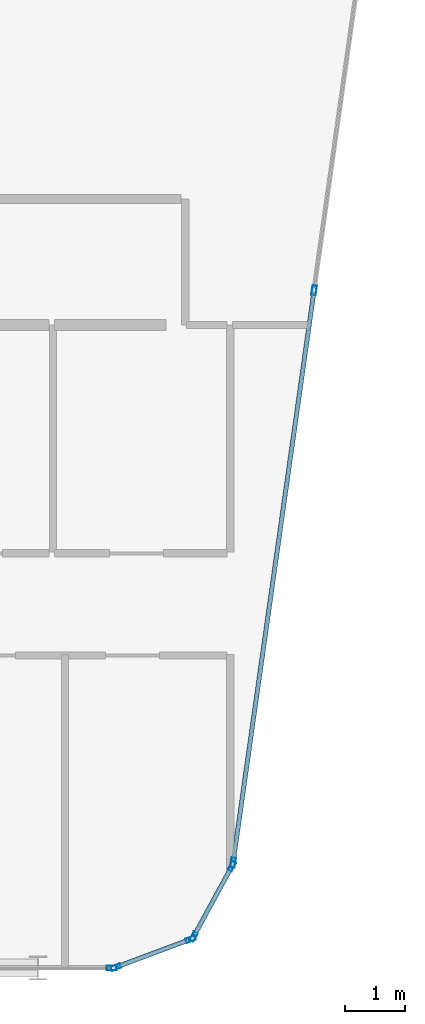
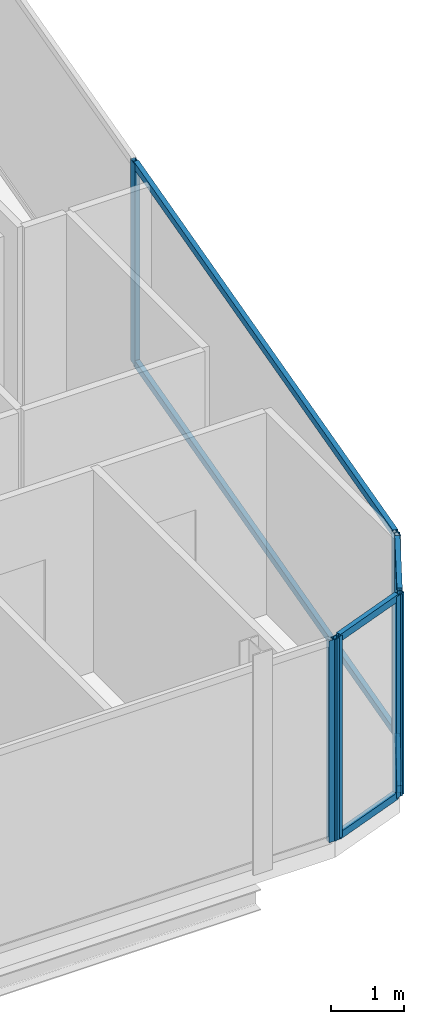
# One storey, part 12 of 27: 13 members, 4 elements without a shape of their own.
"""IFC4 building model written with IfcOpenShell, lengths in metres."""

from ifc_helpers import new_model, si_unit, direction, frame, origin, origin_2d, place, context, subcontext, project, spatial, hollow_rectangle, extrude, material, layer, layer_set, material_profile, profile_set, type_object, element, aggregate, save


model = new_model("IFC4")

# Units and contexts
model_context = context("Model", 3, precision=1e-05, world=origin(), true_north=direction((0.0, 1.0)))
body_context = subcontext(model_context, "Body", "Model", "MODEL_VIEW")
ifc_project = project(units=[si_unit("LENGTHUNIT", "METRE"), si_unit("AREAUNIT", "SQUARE_METRE"), si_unit("VOLUMEUNIT", "CUBIC_METRE"), si_unit("PLANEANGLEUNIT", "RADIAN"), si_unit("MASSUNIT", "GRAM", prefix="KILO")], contexts=[model_context])

# Site, building, storey
site_placement = place(None, origin())
site = spatial("IfcSite", under=ifc_project, at=site_placement, CompositionType="ELEMENT")
building_placement = place(site_placement, origin())
building = spatial("IfcBuilding", under=site, at=building_placement, Name="Keshet Zoharim Tower", CompositionType="ELEMENT")
storey_placement = place(building_placement, frame((0.0, 0.0, 254.699951171875)))
storey = spatial("IfcBuildingStorey", under=building, at=storey_placement, Name="L63", CompositionType="ELEMENT", Elevation=254.699951171875)

# Curtain wall, members
ifc_material = material(Name="Aluminium 6063-T6", Category="aluminium")
ifc_layer = layer(ifc_material, 0.260009765625)
ifc_layer_set = layer_set([ifc_layer], Name="Aluminium 6063-T6")
curtain_wall_type = type_object("IfcCurtainWallType", Name="CW-SYS-06", PredefinedType="NOTDEFINED", material=ifc_layer_set)
curtain_wall_1_placement = place(storey_placement, origin())
curtain_wall_1 = element("IfcCurtainWall", 1, at=curtain_wall_1_placement, inside=storey, type_object=curtain_wall_type, Name="L63 Unitised Curtain Wall 11", PredefinedType="NOTDEFINED")
ifc_material_profile_1 = material_profile(ifc_material, hollow_rectangle(XDim=0.074951171875, YDim=0.159912109375, WallThickness=0.00390625, at=origin_2d()), Name="MUL-75x160")
ifc_profile_set_1 = profile_set([ifc_material_profile_1], Name="Aluminium 6063-T6")
member_type_1 = type_object("IfcMemberType", Name="CWM-M15", PredefinedType="MULLION", material=ifc_profile_set_1)
member_1_placement = place(storey_placement, frame((43.595458984375, 17.97607421875, 0.0), z_axis=(0.0, 0.0, 1.0), x_axis=(0.990132057422, -0.140137464177, 0.0)))
member_1 = element("IfcMember", 2, at=member_1_placement, type_object=member_type_1, Name="CW-06 mullion 2", PredefinedType="MULLION", context=body_context, shape_type="SweptSolid", body=[
    extrude(hollow_rectangle(XDim=0.074951171875, YDim=0.159912109375, WallThickness=0.00390625, at=origin_2d()), origin(), (0.0, 0.0, 1.0), 3.39013671875),
])
member_2_placement = place(storey_placement, frame((42.247802734375, 8.45458984375, 0.0), z_axis=(0.0, 0.0, 1.0), x_axis=(0.990132057422, -0.140137464177, 0.0)))
member_2 = element("IfcMember", 3, at=member_2_placement, type_object=member_type_1, Name="CW-06 mullion 3", PredefinedType="MULLION", context=body_context, shape_type="SweptSolid", body=[
    extrude(hollow_rectangle(XDim=0.074951171875, YDim=0.159912109375, WallThickness=0.00390625, at=origin_2d()), origin(), (0.0, 0.0, 1.0), 3.39013671875),
])

curtain_wall_2_placement = place(storey_placement, origin())
curtain_wall_2 = element("IfcCurtainWall", 4, at=curtain_wall_2_placement, inside=storey, type_object=curtain_wall_type, Name="L63 Unitised Curtain Wall 12", PredefinedType="NOTDEFINED")
member_3_placement = place(storey_placement, frame((42.226318359375, 8.38916015625, 0.0), z_axis=(0.0, 0.0, 1.0), x_axis=(0.878468125004, -0.477800955789, 0.0)))
member_3 = element("IfcMember", 5, at=member_3_placement, type_object=member_type_1, Name="CW-06 mullion 1", PredefinedType="MULLION", context=body_context, shape_type="SweptSolid", body=[
    extrude(hollow_rectangle(XDim=0.074951171875, YDim=0.159912109375, WallThickness=0.00390625, at=origin_2d()), origin(), (0.0, 0.0, 1.0), 3.39013671875),
])
member_4_placement = place(storey_placement, frame((41.5908203125, 7.220703125, 0.0), z_axis=(0.0, 0.0, 1.0), x_axis=(0.878468125004, -0.477800955789, 0.0)))
member_4 = element("IfcMember", 6, at=member_4_placement, type_object=member_type_1, Name="CW-06 mullion 2", PredefinedType="MULLION", context=body_context, shape_type="SweptSolid", body=[
    extrude(hollow_rectangle(XDim=0.074951171875, YDim=0.159912109375, WallThickness=0.00390625, at=origin_2d()), origin(), (0.0, 0.0, 1.0), 3.39013671875),
])

curtain_wall_3_placement = place(storey_placement, origin())
curtain_wall_3 = element("IfcCurtainWall", 7, at=curtain_wall_3_placement, inside=storey, type_object=curtain_wall_type, Name="L63 Unitised Curtain Wall 13", PredefinedType="NOTDEFINED")
member_5_placement = place(storey_placement, frame((41.541259765625, 7.177734375, 0.0), z_axis=(0.0, 0.0, 1.0), x_axis=(0.350105315376, -0.936710343781, 0.0)))
member_5 = element("IfcMember", 8, at=member_5_placement, type_object=member_type_1, Name="CW-06 mullion 1", PredefinedType="MULLION", context=body_context, shape_type="SweptSolid", body=[
    extrude(hollow_rectangle(XDim=0.074951171875, YDim=0.159912109375, WallThickness=0.00390625, at=origin_2d()), origin(), (0.0, 0.0, 1.0), 3.39013671875),
])
member_6_placement = place(storey_placement, frame((40.2958984375, 6.712158203125, 0.0), z_axis=(0.0, 0.0, 1.0), x_axis=(0.350105315376, -0.936710343781, 0.0)))
member_6 = element("IfcMember", 9, at=member_6_placement, type_object=member_type_1, Name="CW-06 mullion 2", PredefinedType="MULLION", context=body_context, shape_type="SweptSolid", body=[
    extrude(hollow_rectangle(XDim=0.074951171875, YDim=0.159912109375, WallThickness=0.00390625, at=origin_2d()), origin(), (0.0, 0.0, 1.0), 3.39013671875),
])

# Curtain wall, member
curtain_wall_4_placement = place(storey_placement, origin())
curtain_wall_4 = element("IfcCurtainWall", 10, at=curtain_wall_4_placement, inside=storey, type_object=curtain_wall_type, Name="L63 Unitised Curtain Wall 14", PredefinedType="NOTDEFINED")
member_7_placement = place(storey_placement, frame((40.22802734375, 6.699951171875, 0.0), z_axis=(0.0, 0.0, 1.0), x_axis=(0.0, -1.0, 0.0)))
member_7 = element("IfcMember", 11, at=member_7_placement, type_object=member_type_1, Name="CW-06 mullion 1", PredefinedType="MULLION", context=body_context, shape_type="SweptSolid", body=[
    extrude(hollow_rectangle(XDim=0.074951171875, YDim=0.159912109375, WallThickness=0.00390625, at=origin_2d()), origin(), (0.0, 0.0, 1.0), 3.39013671875),
])
aggregate(curtain_wall_4, [member_7])

# Member
ifc_material_profile_2 = material_profile(ifc_material, hollow_rectangle(XDim=0.074951171875, YDim=0.1201171875, WallThickness=0.00390625, at=origin_2d()), Name="TRN-75x120")
ifc_profile_set_2 = profile_set([ifc_material_profile_2], Name="Aluminium 6063-T6")
member_type_2 = type_object("IfcMemberType", Name="CWT-T12", PredefinedType="USERDEFINED", material=ifc_profile_set_2)
member_8_placement = place(storey_placement, frame((43.590576171875, 17.94140625, 0.03515625), z_axis=(-0.14012154881, -0.990134309859, 0.0), x_axis=(0.990134309859, -0.14012154881, 0.0)))
member_8 = element("IfcMember", 12, at=member_8_placement, type_object=member_type_2, Name="CW-06 transom 2.1", ObjectType="TRANSOM", PredefinedType="USERDEFINED", context=body_context, shape_type="SweptSolid", body=[
    extrude(hollow_rectangle(XDim=0.074951171875, YDim=0.1201171875, WallThickness=0.00390625, at=origin_2d()), origin(), (0.0, 0.0, 1.0), 9.54638671875),
])

member_9_placement = place(storey_placement, frame((43.590576171875, 17.94140625, 3.35498046875), z_axis=(-0.14012154881, -0.990134309859, 0.0), x_axis=(0.990134309859, -0.14012154881, 0.0)))
member_9 = element("IfcMember", 13, at=member_9_placement, type_object=member_type_2, Name="CW-06 transom 2.2", ObjectType="TRANSOM", PredefinedType="USERDEFINED", context=body_context, shape_type="SweptSolid", body=[
    extrude(hollow_rectangle(XDim=0.074951171875, YDim=0.1201171875, WallThickness=0.00390625, at=origin_2d()), origin(), (0.0, 0.0, 1.0), 9.54638671875),
])

aggregate(curtain_wall_1, [member_1, member_2, member_8, member_9])

member_10_placement = place(storey_placement, frame((42.20947265625, 8.3583984375, 0.03515625), z_axis=(-0.47779293276, -0.878472488701, 0.0), x_axis=(0.878472488701, -0.47779293276, 0.0)))
member_10 = element("IfcMember", 14, at=member_10_placement, type_object=member_type_2, Name="CW-06 transom 1.1", ObjectType="TRANSOM", PredefinedType="USERDEFINED", context=body_context, shape_type="SweptSolid", body=[
    extrude(hollow_rectangle(XDim=0.074951171875, YDim=0.1201171875, WallThickness=0.00390625, at=origin_2d()), origin(), (0.0, 0.0, 1.0), 1.260009765625),
])

member_11_placement = place(storey_placement, frame((42.20947265625, 8.3583984375, 3.35498046875), z_axis=(-0.47779293276, -0.878472488701, 0.0), x_axis=(0.878472488701, -0.47779293276, 0.0)))
member_11 = element("IfcMember", 15, at=member_11_placement, type_object=member_type_2, Name="CW-06 transom 1.2", ObjectType="TRANSOM", PredefinedType="USERDEFINED", context=body_context, shape_type="SweptSolid", body=[
    extrude(hollow_rectangle(XDim=0.074951171875, YDim=0.1201171875, WallThickness=0.00390625, at=origin_2d()), origin(), (0.0, 0.0, 1.0), 1.260009765625),
])

aggregate(curtain_wall_2, [member_3, member_4, member_10, member_11])

member_12_placement = place(storey_placement, frame((41.508544921875, 7.16552734375, 0.03515625), z_axis=(-0.93673477759, -0.350039935512, 0.0), x_axis=(0.350039935512, -0.93673477759, 0.0)))
member_12 = element("IfcMember", 16, at=member_12_placement, type_object=member_type_2, Name="CW-06 transom 1.1", ObjectType="TRANSOM", PredefinedType="USERDEFINED", context=body_context, shape_type="SweptSolid", body=[
    extrude(hollow_rectangle(XDim=0.074951171875, YDim=0.1201171875, WallThickness=0.00390625, at=origin_2d()), origin(), (0.0, 0.0, 1.0), 1.259521484375),
])

member_13_placement = place(storey_placement, frame((41.508544921875, 7.16552734375, 3.35498046875), z_axis=(-0.93673477759, -0.350039935512, 0.0), x_axis=(0.350039935512, -0.93673477759, 0.0)))
member_13 = element("IfcMember", 17, at=member_13_placement, type_object=member_type_2, Name="CW-06 transom 1.2", ObjectType="TRANSOM", PredefinedType="USERDEFINED", context=body_context, shape_type="SweptSolid", body=[
    extrude(hollow_rectangle(XDim=0.074951171875, YDim=0.1201171875, WallThickness=0.00390625, at=origin_2d()), origin(), (0.0, 0.0, 1.0), 1.259521484375),
])

aggregate(curtain_wall_3, [member_5, member_6, member_12, member_13])

save(model, "model.ifc")
